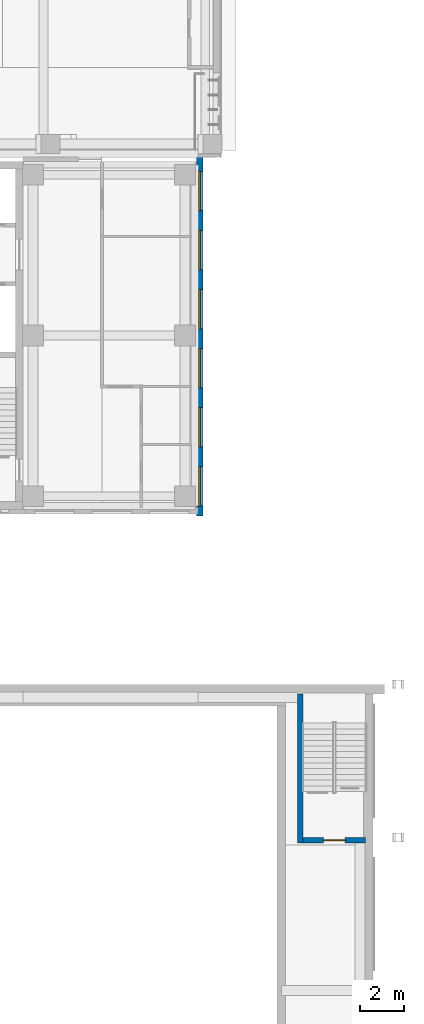
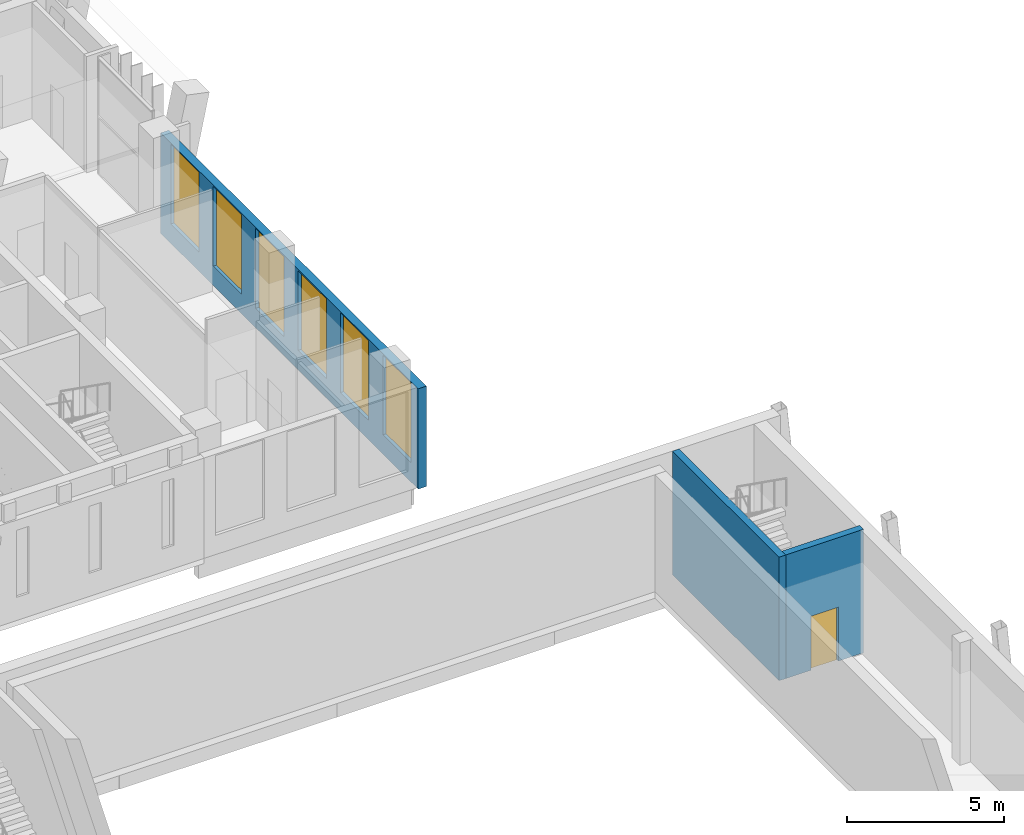
# One storey, part 63 of 92: 6 windows, 3 walls, 1 door, 7 openings.
"""IFC4 building model written with IfcOpenShell, lengths in metres."""

from ifc_helpers import new_model, si_unit, direction, frame, frame_2d, origin, place, context, subcontext, project, spatial, rectangle, extrude, material, layer, layer_set, type_object, element, fill, save


model = new_model("IFC4")

# Units and contexts
model_context = context("Model", 3, precision=1e-05, world=origin(), true_north=direction((0.0, 1.0)))
body_context = subcontext(model_context, "Body", "Model", "MODEL_VIEW")
ifc_project = project(units=[si_unit("LENGTHUNIT", "METRE"), si_unit("AREAUNIT", "SQUARE_METRE"), si_unit("VOLUMEUNIT", "CUBIC_METRE"), si_unit("PLANEANGLEUNIT", "RADIAN"), si_unit("MASSUNIT", "GRAM", prefix="KILO")], contexts=[model_context])

# Site, building, storey
site_placement = place(None, origin())
site = spatial("IfcSite", under=ifc_project, at=site_placement, CompositionType="ELEMENT")
building_placement = place(site_placement, origin())
building = spatial("IfcBuilding", under=site, at=building_placement, Name="Lantern Court Media Centre", CompositionType="ELEMENT")
storey_placement = place(building_placement, frame((0.0, 0.0, 4.800048828125)))
storey = spatial("IfcBuildingStorey", under=building, at=storey_placement, Name="L01", CompositionType="ELEMENT", Elevation=4.800048828125)

# Wall, openings, windows
ifc_material_1 = material(Name="Honed limestone cladding on blockwork", Category="masonry")
ifc_layer_1 = layer(ifc_material_1, 0.300048828125)
ifc_layer_set_1 = layer_set([ifc_layer_1], Name="Honed limestone cladding on blockwork")
wall_type_1 = type_object("IfcWallType", Name="Limestone block wall 300", PredefinedType="SOLIDWALL", material=ifc_layer_set_1)
wall_1_placement = place(storey_placement, frame((96.070068359375, 47.699951171875, 0.0), z_axis=(0.0, 0.0, 1.0), x_axis=(0.0, 1.0, 0.0)))
wall_1 = element("IfcWall", 1, at=wall_1_placement, inside=storey, type_object=wall_type_1, Name="Limestone wall SE E L01", PredefinedType="SOLIDWALL", context=body_context, shape_type="SweptSolid", body=[
    extrude(rectangle(XDim=16.400146484375, YDim=0.300048828125, at=frame_2d((8.2001953125, 0.0))), origin(), (0.0, 0.0, 1.0), 3.89990234375),
])
opening_1_placement = place(wall_1_placement, frame((0.449951171875, 0.0, 0.75)))
opening_1 = element("IfcOpeningElement", 2, at=opening_1_placement, cuts=wall_1, Name="Opening WN-F", PredefinedType="OPENING", context=body_context, shape_type="SweptSolid", body=[
    extrude(rectangle(XDim=1.800048828125, YDim=3.10009765625, at=frame_2d((0.89990234375, 1.550048828125))), frame((0.0, 0.159912109375, 0.0), z_axis=(0.0, -1.0, 0.0), x_axis=(1.0, 0.0, 0.0)), (0.0, 0.0, 1.0), 0.320068359375),
])
opening_2_placement = place(wall_1_placement, frame((3.14990234375, 0.0, 0.75)))
opening_2 = element("IfcOpeningElement", 3, at=opening_2_placement, cuts=wall_1, Name="Opening WN-F", PredefinedType="OPENING", context=body_context, shape_type="SweptSolid", body=[
    extrude(rectangle(XDim=1.800048828125, YDim=3.10009765625, at=frame_2d((0.89990234375, 1.550048828125))), frame((0.0, 0.159912109375, 0.0), z_axis=(0.0, -1.0, 0.0), x_axis=(1.0, 0.0, 0.0)), (0.0, 0.0, 1.0), 0.320068359375),
])
opening_3_placement = place(wall_1_placement, frame((5.85009765625, 0.0, 0.75)))
opening_3 = element("IfcOpeningElement", 4, at=opening_3_placement, cuts=wall_1, Name="Opening WN-F", PredefinedType="OPENING", context=body_context, shape_type="SweptSolid", body=[
    extrude(rectangle(XDim=1.800048828125, YDim=3.10009765625, at=frame_2d((0.89990234375, 1.550048828125))), frame((0.0, 0.159912109375, 0.0), z_axis=(0.0, -1.0, 0.0), x_axis=(1.0, 0.0, 0.0)), (0.0, 0.0, 1.0), 0.320068359375),
])
opening_4_placement = place(wall_1_placement, frame((8.550048828125, 0.0, 0.75)))
opening_4 = element("IfcOpeningElement", 5, at=opening_4_placement, cuts=wall_1, Name="Opening WN-F", PredefinedType="OPENING", context=body_context, shape_type="SweptSolid", body=[
    extrude(rectangle(XDim=1.800048828125, YDim=3.10009765625, at=frame_2d((0.89990234375, 1.550048828125))), frame((0.0, 0.159912109375, 0.0), z_axis=(0.0, -1.0, 0.0), x_axis=(1.0, 0.0, 0.0)), (0.0, 0.0, 1.0), 0.320068359375),
])
opening_5_placement = place(wall_1_placement, frame((11.25, 0.0, 0.75)))
opening_5 = element("IfcOpeningElement", 6, at=opening_5_placement, cuts=wall_1, Name="Opening WN-F", PredefinedType="OPENING", context=body_context, shape_type="SweptSolid", body=[
    extrude(rectangle(XDim=1.800048828125, YDim=3.10009765625, at=frame_2d((0.89990234375, 1.550048828125))), frame((0.0, 0.159912109375, 0.0), z_axis=(0.0, -1.0, 0.0), x_axis=(1.0, 0.0, 0.0)), (0.0, 0.0, 1.0), 0.320068359375),
])
opening_6_placement = place(wall_1_placement, frame((13.949951171875, 0.0, 0.75)))
opening_6 = element("IfcOpeningElement", 7, at=opening_6_placement, cuts=wall_1, Name="Opening WN-F", PredefinedType="OPENING", context=body_context, shape_type="SweptSolid", body=[
    extrude(rectangle(XDim=1.800048828125, YDim=3.10009765625, at=frame_2d((0.89990234375, 1.550048828125))), frame((0.0, 0.159912109375, 0.0), z_axis=(0.0, -1.0, 0.0), x_axis=(1.0, 0.0, 0.0)), (0.0, 0.0, 1.0), 0.320068359375),
])
ifc_material_2 = material(Name="Anodised aluminium and glass", Category="aluminium")
window_type = type_object("IfcWindowType", Name="Foyer window 1800x3100", PartitioningType="SINGLE_PANEL", PredefinedType="WINDOW", material=ifc_material_2)
window_1_placement = place(opening_1_placement, origin())
window_1 = element("IfcWindow", 8, at=window_1_placement, inside=storey, type_object=window_type, Name="Window SE E L01", OverallHeight=3.10009765625, OverallWidth=1.800048828125, PartitioningType="SINGLE_PANEL", PredefinedType="WINDOW", context=body_context, shape_type="SweptSolid", body=[
    extrude(rectangle(XDim=1.800048828125, YDim=3.10009765625, at=frame_2d((0.89990234375, 1.550048828125))), frame((0.0, 0.030029296875, 0.0), z_axis=(0.0, -1.0, 0.0), x_axis=(1.0, 0.0, 0.0)), (0.0, 0.0, 1.0), 0.06005859375),
])
fill(opening_1, window_1)
window_2_placement = place(opening_2_placement, origin())
window_2 = element("IfcWindow", 9, at=window_2_placement, inside=storey, type_object=window_type, Name="Window SE E L01", OverallHeight=3.10009765625, OverallWidth=1.800048828125, PartitioningType="SINGLE_PANEL", PredefinedType="WINDOW", context=body_context, shape_type="SweptSolid", body=[
    extrude(rectangle(XDim=1.800048828125, YDim=3.10009765625, at=frame_2d((0.89990234375, 1.550048828125))), frame((0.0, 0.030029296875, 0.0), z_axis=(0.0, -1.0, 0.0), x_axis=(1.0, 0.0, 0.0)), (0.0, 0.0, 1.0), 0.06005859375),
])
fill(opening_2, window_2)
window_3_placement = place(opening_3_placement, origin())
window_3 = element("IfcWindow", 10, at=window_3_placement, inside=storey, type_object=window_type, Name="Window SE E L01", OverallHeight=3.10009765625, OverallWidth=1.800048828125, PartitioningType="SINGLE_PANEL", PredefinedType="WINDOW", context=body_context, shape_type="SweptSolid", body=[
    extrude(rectangle(XDim=1.800048828125, YDim=3.10009765625, at=frame_2d((0.89990234375, 1.550048828125))), frame((0.0, 0.030029296875, 0.0), z_axis=(0.0, -1.0, 0.0), x_axis=(1.0, 0.0, 0.0)), (0.0, 0.0, 1.0), 0.06005859375),
])
fill(opening_3, window_3)
window_4_placement = place(opening_4_placement, origin())
window_4 = element("IfcWindow", 11, at=window_4_placement, inside=storey, type_object=window_type, Name="Window SE E L01", OverallHeight=3.10009765625, OverallWidth=1.800048828125, PartitioningType="SINGLE_PANEL", PredefinedType="WINDOW", context=body_context, shape_type="SweptSolid", body=[
    extrude(rectangle(XDim=1.800048828125, YDim=3.10009765625, at=frame_2d((0.89990234375, 1.550048828125))), frame((0.0, 0.030029296875, 0.0), z_axis=(0.0, -1.0, 0.0), x_axis=(1.0, 0.0, 0.0)), (0.0, 0.0, 1.0), 0.06005859375),
])
fill(opening_4, window_4)
window_5_placement = place(opening_5_placement, origin())
window_5 = element("IfcWindow", 12, at=window_5_placement, inside=storey, type_object=window_type, Name="Window SE E L01", OverallHeight=3.10009765625, OverallWidth=1.800048828125, PartitioningType="SINGLE_PANEL", PredefinedType="WINDOW", context=body_context, shape_type="SweptSolid", body=[
    extrude(rectangle(XDim=1.800048828125, YDim=3.10009765625, at=frame_2d((0.89990234375, 1.550048828125))), frame((0.0, 0.030029296875, 0.0), z_axis=(0.0, -1.0, 0.0), x_axis=(1.0, 0.0, 0.0)), (0.0, 0.0, 1.0), 0.06005859375),
])
fill(opening_5, window_5)
window_6_placement = place(opening_6_placement, origin())
window_6 = element("IfcWindow", 13, at=window_6_placement, inside=storey, type_object=window_type, Name="Window SE E L01", OverallHeight=3.10009765625, OverallWidth=1.800048828125, PartitioningType="SINGLE_PANEL", PredefinedType="WINDOW", context=body_context, shape_type="SweptSolid", body=[
    extrude(rectangle(XDim=1.800048828125, YDim=3.10009765625, at=frame_2d((0.89990234375, 1.550048828125))), frame((0.0, 0.030029296875, 0.0), z_axis=(0.0, -1.0, 0.0), x_axis=(1.0, 0.0, 0.0)), (0.0, 0.0, 1.0), 0.06005859375),
])
fill(opening_6, window_6)

# Wall
ifc_material_3 = material(Name="Concrete C40", Category="concrete")
ifc_layer_2 = layer(ifc_material_3, 0.25)
ifc_layer_set_2 = layer_set([ifc_layer_2], Name="Concrete C40")
wall_type_2 = type_object("IfcWallType", Name="RC stair shaft wall 250", PredefinedType="SOLIDWALL", material=ifc_layer_set_2)
wall_2_placement = place(storey_placement, frame((100.675048828125, 32.75, 0.0), z_axis=(0.0, 0.0, 1.0), x_axis=(0.0, 1.0, 0.0)))
element("IfcWall", 14, at=wall_2_placement, inside=storey, type_object=wall_type_2, Name="L01 V2-ST-E shaft wall W", PredefinedType="SOLIDWALL", context=body_context, shape_type="SweptSolid", body=[
    extrude(rectangle(XDim=6.800048828125, YDim=0.25, at=frame_2d((3.39990234375, 0.0))), origin(), (0.0, 0.0, 1.0), 4.800048828125),
])

# Wall, opening, door
wall_3_placement = place(storey_placement, frame((100.800048828125, 32.875, 0.0), z_axis=(0.0, 0.0, 1.0), x_axis=(1.0, 0.0, 0.0)))
wall_3 = element("IfcWall", 15, at=wall_3_placement, inside=storey, type_object=wall_type_2, Name="L01 V2-ST-E shaft wall S", PredefinedType="SOLIDWALL", context=body_context, shape_type="SweptSolid", body=[
    extrude(rectangle(XDim=2.849853515625, YDim=0.25, at=frame_2d((1.4248046875, 0.0))), origin(), (0.0, 0.0, 1.0), 4.800048828125),
])
opening_7_placement = place(wall_3_placement, frame((0.925048828125, 0.0, 0.0)))
opening_7 = element("IfcOpeningElement", 16, at=opening_7_placement, cuts=wall_3, Name="Opening V2-ST-E-L01-01", PredefinedType="OPENING", context=body_context, shape_type="SweptSolid", body=[
    extrude(rectangle(XDim=1.0, YDim=2.10009765625, at=frame_2d((0.5, 1.050048828125))), frame((0.0, 0.135009765625, 0.0), z_axis=(0.0, -1.0, 0.0), x_axis=(1.0, 0.0, 0.0)), (0.0, 0.0, 1.0), 0.27001953125),
])
ifc_material_4 = material(Name="Steel door leaf", Category="steel")
door_type = type_object("IfcDoorType", Name="Stair door 1000x2100", OperationType="NOTDEFINED", PredefinedType="DOOR", material=ifc_material_4)
door_placement = place(opening_7_placement, frame((1.0, 0.0, 0.0), z_axis=(0.0, 0.0, 1.0), x_axis=(-1.0, 0.0, 0.0)))
door = element("IfcDoor", 17, at=door_placement, inside=storey, type_object=door_type, Name="L01 V2-ST-E stair door", OperationType="SINGLE_SWING_LEFT", OverallHeight=2.10009765625, OverallWidth=1.0, PredefinedType="DOOR", context=body_context, shape_type="SweptSolid", body=[
    extrude(rectangle(XDim=1.0, YDim=2.10009765625, at=frame_2d((0.5, 1.050048828125))), frame((0.0, 0.02490234375, 0.0), z_axis=(0.0, -1.0, 0.0), x_axis=(1.0, 0.0, 0.0)), (0.0, 0.0, 1.0), 0.050048828125),
])
fill(opening_7, door)

save(model, "model.ifc")
